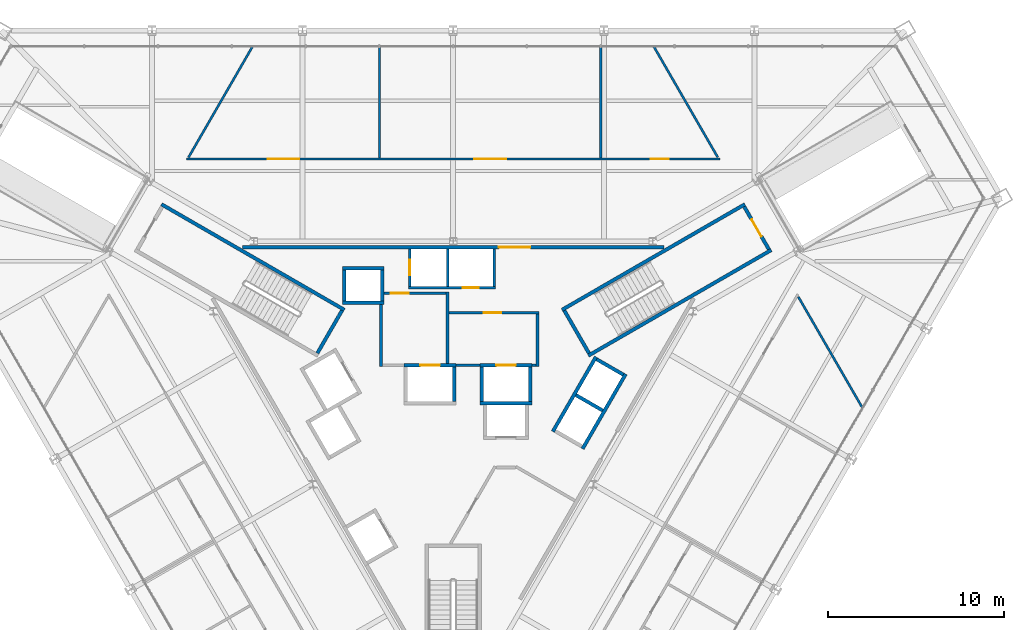
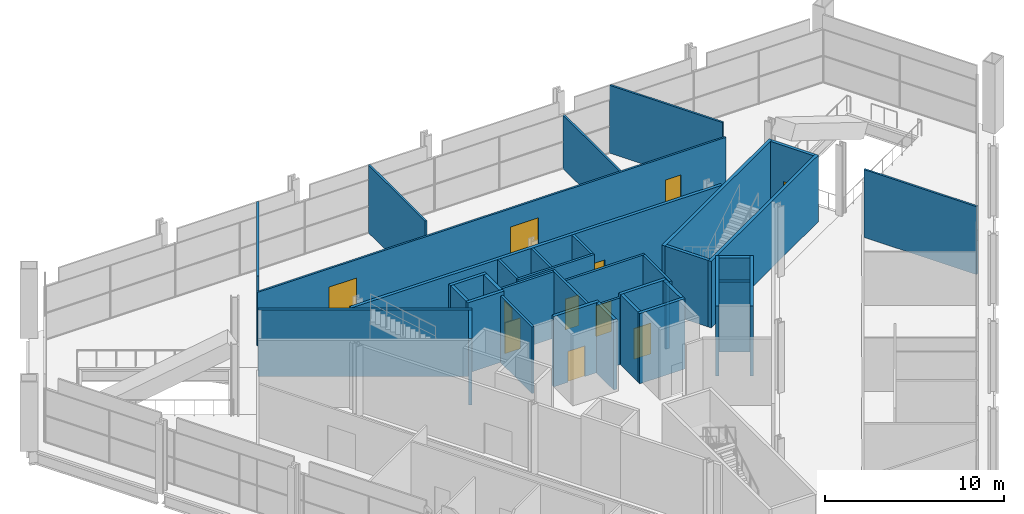
# One storey, part 14 of 18: 38 walls, 11 doors, 11 openings.
"""IFC4 building model written with IfcOpenShell, lengths in metres."""

from ifc_helpers import new_model, si_unit, direction, frame, frame_2d, origin, place, context, subcontext, project, spatial, rectangle, extrude, material, layer, layer_set, type_object, element, fill, save


model = new_model("IFC4")

# Units and contexts
model_context = context("Model", 3, precision=1e-05, world=origin(), true_north=direction((0.0, 1.0)))
body_context = subcontext(model_context, "Body", "Model", "MODEL_VIEW")
ifc_project = project(units=[si_unit("LENGTHUNIT", "METRE"), si_unit("AREAUNIT", "SQUARE_METRE"), si_unit("VOLUMEUNIT", "CUBIC_METRE"), si_unit("PLANEANGLEUNIT", "RADIAN"), si_unit("MASSUNIT", "GRAM", prefix="KILO")], contexts=[model_context])

# Site, building, storey
site_placement = place(None, origin())
site = spatial("IfcSite", under=ifc_project, at=site_placement, CompositionType="ELEMENT")
building_placement = place(site_placement, origin())
building = spatial("IfcBuilding", under=site, at=building_placement, Name="Verrane Prism Tower", CompositionType="ELEMENT")
storey_placement = place(building_placement, frame((0.0, 0.0, 27.199951171875)))
storey = spatial("IfcBuildingStorey", under=building, at=storey_placement, Name="L04", CompositionType="ELEMENT", Elevation=27.199951171875)

# Walls
ifc_material_1 = material(Name="Gypsum board partition", Category="other")
ifc_layer_1 = layer(ifc_material_1, 0.125)
ifc_layer_set_1 = layer_set([ifc_layer_1], Name="BW-125 demising wall 1 h")
wall_type_1 = type_object("IfcWallType", Name="BW-125 demising wall 1 h", PredefinedType="PARTITIONING", material=ifc_layer_set_1)
wall_1_placement = place(storey_placement, frame((-4.19091796875, 13.9326171875, 0.0), z_axis=(0.0, 0.0, 1.0), x_axis=(0.0, 1.0, 0.0)))
element("IfcWall", 1, at=wall_1_placement, inside=storey, type_object=wall_type_1, Name="Demising wall 011", PredefinedType="PARTITIONING", context=body_context, shape_type="SweptSolid", body=[
    extrude(rectangle(XDim=6.33740234375, YDim=0.125, at=frame_2d((3.168701171875, 0.0))), origin(), (0.0, 0.0, 1.0), 4.64013671875),
])
wall_2_placement = place(storey_placement, frame((8.383056640625, 13.9326171875, 0.0), z_axis=(0.0, 0.0, 1.0), x_axis=(0.0, 1.0, 0.0)))
element("IfcWall", 2, at=wall_2_placement, inside=storey, type_object=wall_type_1, Name="Demising wall 015", PredefinedType="PARTITIONING", context=body_context, shape_type="SweptSolid", body=[
    extrude(rectangle(XDim=6.33740234375, YDim=0.125, at=frame_2d((3.168701171875, 0.0))), origin(), (0.0, 0.0, 1.0), 3.653076171875),
])
ifc_material_2 = material(Name="Gypsum board partition", Category="other")
ifc_layer_2 = layer(ifc_material_2, 0.125)
ifc_layer_set_2 = layer_set([ifc_layer_2], Name="BW-125 shopfront wall 1 h")
wall_type_2 = type_object("IfcWallType", Name="BW-125 shopfront wall 1 h", PredefinedType="PARTITIONING", material=ifc_layer_set_2)
wall_3_placement = place(storey_placement, frame((-15.033447265625, 13.9609375, 0.0), z_axis=(0.0, 0.0, 1.0), x_axis=(0.499977739203, 0.86603825568, 0.0)))
element("IfcWall", 3, at=wall_3_placement, inside=storey, type_object=wall_type_2, Name="Shopfront wall 007", PredefinedType="PARTITIONING", context=body_context, shape_type="SweptSolid", body=[
    extrude(rectangle(XDim=7.284912109375, YDim=0.125, at=frame_2d((3.642578125, 0.0))), origin(), (0.0, 0.0, 1.0), 4.64013671875),
])

# Wall, openings, doors
wall_4_placement = place(storey_placement, frame((-15.1484375, 13.8701171875, 0.0), z_axis=(0.0, 0.0, 1.0), x_axis=(1.0, 0.0, 0.0)))
wall_4 = element("IfcWall", 4, at=wall_4_placement, inside=storey, type_object=wall_type_2, Name="Shopfront wall 008", PredefinedType="PARTITIONING", context=body_context, shape_type="SweptSolid", body=[
    extrude(rectangle(XDim=30.296875, YDim=0.125, at=frame_2d((15.1484375, 0.0))), origin(), (0.0, 0.0, 1.0), 3.653076171875),
])
opening_1_placement = place(wall_4_placement, frame((26.381591796875, 0.0, 0.0)))
opening_1 = element("IfcOpeningElement", 5, at=opening_1_placement, cuts=wall_4, Name="Opening D04001", PredefinedType="OPENING", context=body_context, shape_type="SweptSolid", body=[
    extrude(rectangle(XDim=1.0, YDim=2.10009765625, at=frame_2d((0.5, 1.050048828125))), frame((0.0, 0.072509765625, 0.0), z_axis=(0.0, -1.0, 0.0), x_axis=(1.0, 0.0, 0.0)), (0.0, 0.0, 1.0), 0.14501953125),
])
opening_2_placement = place(wall_4_placement, frame((16.357421875, 0.0, 0.0)))
opening_2 = element("IfcOpeningElement", 6, at=opening_2_placement, cuts=wall_4, Name="Opening D04002", PredefinedType="OPENING", context=body_context, shape_type="SweptSolid", body=[
    extrude(rectangle(XDim=1.800048828125, YDim=2.39990234375, at=frame_2d((0.89990234375, 1.199951171875))), frame((0.0, 0.072509765625, 0.0), z_axis=(0.0, -1.0, 0.0), x_axis=(1.0, 0.0, 0.0)), (0.0, 0.0, 1.0), 0.14501953125),
])
opening_3_placement = place(wall_4_placement, frame((4.612548828125, 0.0, 0.0)))
opening_3 = element("IfcOpeningElement", 7, at=opening_3_placement, cuts=wall_4, Name="Opening D04003", PredefinedType="OPENING", context=body_context, shape_type="SweptSolid", body=[
    extrude(rectangle(XDim=1.800048828125, YDim=2.39990234375, at=frame_2d((0.89990234375, 1.199951171875))), frame((0.0, 0.072509765625, 0.0), z_axis=(0.0, -1.0, 0.0), x_axis=(1.0, 0.0, 0.0)), (0.0, 0.0, 1.0), 0.14501953125),
])
ifc_material_3 = material(Name="Timber veneered door leaf", Category="wood")
door_type_1 = type_object("IfcDoorType", Name="DR-1000x2100 FD20 single leaf shopfront", OperationType="NOTDEFINED", PredefinedType="DOOR", material=ifc_material_3)
door_1_placement = place(opening_1_placement, origin())
door_1 = element("IfcDoor", 8, at=door_1_placement, inside=storey, type_object=door_type_1, Name="Door Cafe 0401", OperationType="SINGLE_SWING_LEFT", OverallHeight=2.10009765625, OverallWidth=1.0, PredefinedType="DOOR", context=body_context, shape_type="SweptSolid", body=[
    extrude(rectangle(XDim=1.0, YDim=2.10009765625, at=frame_2d((0.5, 1.050048828125))), frame((0.0, 0.02490234375, 0.0), z_axis=(0.0, -1.0, 0.0), x_axis=(1.0, 0.0, 0.0)), (0.0, 0.0, 1.0), 0.050048828125),
])
fill(opening_1, door_1)
ifc_material_4 = material(Name="Aluminium and glass door leaf", Category="aluminium")
door_type_2 = type_object("IfcDoorType", Name="DR-1800x2400 FD20 double leaf shopfront", OperationType="NOTDEFINED", PredefinedType="DOOR", material=ifc_material_4)
door_2_placement = place(opening_2_placement, origin())
door_2 = element("IfcDoor", 9, at=door_2_placement, inside=storey, type_object=door_type_2, Name="Door Restaurant 0402", OperationType="DOUBLE_DOOR_SINGLE_SWING", OverallHeight=2.39990234375, OverallWidth=1.800048828125, PredefinedType="DOOR", context=body_context, shape_type="SweptSolid", body=[
    extrude(rectangle(XDim=1.800048828125, YDim=2.39990234375, at=frame_2d((0.89990234375, 1.199951171875))), frame((0.0, 0.02490234375, 0.0), z_axis=(0.0, -1.0, 0.0), x_axis=(1.0, 0.0, 0.0)), (0.0, 0.0, 1.0), 0.050048828125),
])
fill(opening_2, door_2)
door_3_placement = place(opening_3_placement, origin())
door_3 = element("IfcDoor", 10, at=door_3_placement, inside=storey, type_object=door_type_2, Name="Door Restaurant 0403", OperationType="DOUBLE_DOOR_SINGLE_SWING", OverallHeight=2.39990234375, OverallWidth=1.800048828125, PredefinedType="DOOR", context=body_context, shape_type="SweptSolid", body=[
    extrude(rectangle(XDim=1.800048828125, YDim=2.39990234375, at=frame_2d((0.89990234375, 1.199951171875))), frame((0.0, 0.02490234375, 0.0), z_axis=(0.0, -1.0, 0.0), x_axis=(1.0, 0.0, 0.0)), (0.0, 0.0, 1.0), 0.050048828125),
])
fill(opening_3, door_3)

# Walls
wall_5_placement = place(storey_placement, frame((11.39111328125, 20.27001953125, 0.0), z_axis=(0.0, 0.0, 1.0), x_axis=(0.499977739203, -0.86603825568, 0.0)))
element("IfcWall", 11, at=wall_5_placement, inside=storey, type_object=wall_type_2, Name="Shopfront wall 018", PredefinedType="PARTITIONING", context=body_context, shape_type="SweptSolid", body=[
    extrude(rectangle(XDim=7.284912109375, YDim=0.125, at=frame_2d((3.642578125, 0.0))), origin(), (0.0, 0.0, 1.0), 4.64013671875),
])
wall_6_placement = place(storey_placement, frame((19.607421875, 6.0390625, 0.0), z_axis=(0.0, 0.0, 1.0), x_axis=(0.500002873931, -0.866023744513, 0.0)))
element("IfcWall", 12, at=wall_6_placement, inside=storey, type_object=wall_type_2, Name="Shopfront wall 022", PredefinedType="PARTITIONING", context=body_context, shape_type="SweptSolid", body=[
    extrude(rectangle(XDim=7.28515625, YDim=0.125, at=frame_2d((3.642578125, 0.0))), origin(), (0.0, 0.0, 1.0), 4.64013671875),
])

# Wall, opening, door
ifc_material_5 = material(Name="Gypsum board partition", Category="other")
ifc_layer_3 = layer(ifc_material_5, 0.199951171875)
ifc_layer_set_3 = layer_set([ifc_layer_3], Name="CW-200 core boundary wall 2 h")
wall_type_3 = type_object("IfcWallType", Name="CW-200 core boundary wall 2 h", PredefinedType="PARTITIONING", material=ifc_layer_set_3)
wall_7_placement = place(storey_placement, frame((11.986083984375, 8.860107421875, 0.0), z_axis=(0.0, 0.0, 1.0), x_axis=(-1.0, 0.0, 0.0)))
wall_7 = element("IfcWall", 13, at=wall_7_placement, inside=storey, type_object=wall_type_3, Name="Core boundary wall CW3-002", PredefinedType="PARTITIONING", context=body_context, shape_type="SweptSolid", body=[
    extrude(rectangle(XDim=23.967041015625, YDim=0.199951171875, at=frame_2d((11.9833984375, 0.0))), origin(), (0.0, 0.0, 1.0), 4.550048828125),
])
opening_4_placement = place(wall_7_placement, frame((7.595947265625, 0.0, 0.0)))
opening_4 = element("IfcOpeningElement", 14, at=opening_4_placement, cuts=wall_7, Name="Opening D04509", PredefinedType="OPENING", context=body_context, shape_type="SweptSolid", body=[
    extrude(rectangle(XDim=1.800048828125, YDim=2.10009765625, at=frame_2d((0.89990234375, 1.050048828125))), frame((0.0, 0.10986328125, 0.0), z_axis=(0.0, -1.0, 0.0), x_axis=(1.0, 0.0, 0.0)), (0.0, 0.0, 1.0), 0.219970703125),
])
ifc_material_6 = material(Name="Timber veneered door leaf", Category="wood")
door_type_3 = type_object("IfcDoorType", Name="DR-1800x2100 FD60 double leaf lift lobby", OperationType="NOTDEFINED", PredefinedType="DOOR", material=ifc_material_6)
door_4_placement = place(opening_4_placement, origin())
door_4 = element("IfcDoor", 15, at=door_4_placement, inside=storey, type_object=door_type_3, Name="Lift lobby door D04509", OperationType="DOUBLE_DOOR_SINGLE_SWING", OverallHeight=2.10009765625, OverallWidth=1.800048828125, PredefinedType="DOOR", context=body_context, shape_type="SweptSolid", body=[
    extrude(rectangle(XDim=1.800048828125, YDim=2.10009765625, at=frame_2d((0.89990234375, 1.050048828125))), frame((0.0, 0.02490234375, 0.0), z_axis=(0.0, -1.0, 0.0), x_axis=(1.0, 0.0, 0.0)), (0.0, 0.0, 1.0), 0.050048828125),
])
fill(opening_4, door_4)

ifc_material_7 = material(Name="Concrete C40/50", Category="concrete")
ifc_layer_4 = layer(ifc_material_7, 0.199951171875)
ifc_layer_set_4 = layer_set([ifc_layer_4], Name="CW-200 stair core wall concrete C40/50 3 h")
wall_type_4 = type_object("IfcWallType", Name="CW-200 stair core wall concrete C40/50 3 h", PredefinedType="PARTITIONING", material=ifc_layer_set_4)
wall_8_placement = place(storey_placement, frame((17.933837890625, 8.737548828125, 0.0), z_axis=(0.0, 0.0, 1.0), x_axis=(-0.49998411664, 0.866034573852, 0.0)))
wall_8 = element("IfcWall", 16, at=wall_8_placement, inside=storey, type_object=wall_type_4, Name="Stair 1 enclosure wall", PredefinedType="PARTITIONING", context=body_context, shape_type="SweptSolid", body=[
    extrude(rectangle(XDim=2.7998046875, YDim=0.199951171875, at=frame_2d((1.39990234375, 0.0))), origin(), (0.0, 0.0, 1.0), 4.550048828125),
])
opening_5_placement = place(wall_8_placement, frame((0.849853515625, 0.0, 0.0)))
opening_5 = element("IfcOpeningElement", 17, at=opening_5_placement, cuts=wall_8, Name="Opening D04500", PredefinedType="OPENING", context=body_context, shape_type="SweptSolid", body=[
    extrude(rectangle(XDim=1.10009765625, YDim=2.10009765625, at=frame_2d((0.550048828125, 1.050048828125))), frame((0.0, 0.10986328125, 0.0), z_axis=(0.0, -1.0, 0.0), x_axis=(1.0, 0.0, 0.0)), (0.0, 0.0, 1.0), 0.219970703125),
])
ifc_material_8 = material(Name="Timber veneered door leaf", Category="wood")
door_type_4 = type_object("IfcDoorType", Name="DR-1100x2100 FD90 single leaf stair", OperationType="NOTDEFINED", PredefinedType="DOOR", material=ifc_material_8)
door_5_placement = place(opening_5_placement, origin())
door_5 = element("IfcDoor", 18, at=door_5_placement, inside=storey, type_object=door_type_4, Name="Stair 1 door", OperationType="SINGLE_SWING_LEFT", OverallHeight=2.10009765625, OverallWidth=1.10009765625, PredefinedType="DOOR", context=body_context, shape_type="SweptSolid", body=[
    extrude(rectangle(XDim=1.10009765625, YDim=2.10009765625, at=frame_2d((0.550048828125, 1.050048828125))), frame((0.0, 0.02490234375, 0.0), z_axis=(0.0, -1.0, 0.0), x_axis=(1.0, 0.0, 0.0)), (0.0, 0.0, 1.0), 0.050048828125),
])
fill(opening_5, door_5)

# Walls
for number, where, z_axis, x_axis, name in (
    (19, (6.17822265625, 5.299072265625, 0.0), (0.0, 0.0, 1.0), (0.866026010844, 0.49999894854, 0.0), "Stair 1 enclosure wall"),
    (20, (7.67822265625, 2.700927734375, 0.0), (0.0, 0.0, 1.0), (0.866026010844, 0.49999894854, 0.0), "Stair 1 enclosure wall"),
):
    element("IfcWall", number, at=place(storey_placement, frame(where, z_axis=z_axis, x_axis=x_axis)), inside=storey, type_object=wall_type_4, Name=name, PredefinedType="PARTITIONING", context=body_context, shape_type="SweptSolid", body=[
        extrude(rectangle(XDim=12.0, YDim=0.199951171875, at=frame_2d((6.0, 0.0))), origin(), (0.0, 0.0, 1.0), 4.550048828125),
    ])
wall_9_placement = place(storey_placement, frame((7.71484375, 2.837646484375, 0.0), z_axis=(0.0, 0.0, 1.0), x_axis=(-0.500049511043, 0.865996816683, 0.0)))
element("IfcWall", 21, at=wall_9_placement, inside=storey, type_object=wall_type_4, Name="Stair 1 enclosure wall", PredefinedType="PARTITIONING", context=body_context, shape_type="SweptSolid", body=[
    extrude(rectangle(XDim=2.800048828125, YDim=0.199951171875, at=frame_2d((1.39990234375, 0.0))), origin(), (0.0, 0.0, 1.0), 4.550048828125),
])
wall_10_placement = place(storey_placement, frame((-6.17822265625, 5.299072265625, 0.0), z_axis=(0.0, 0.0, 1.0), x_axis=(-0.866026010844, 0.49999894854, 0.0)))
element("IfcWall", 22, at=wall_10_placement, inside=storey, type_object=wall_type_4, Name="Stair 2 enclosure wall", PredefinedType="PARTITIONING", context=body_context, shape_type="SweptSolid", body=[
    extrude(rectangle(XDim=12.0, YDim=0.199951171875, at=frame_2d((6.0, 0.0))), origin(), (0.0, 0.0, 1.0), 4.550048828125),
])
wall_11_placement = place(storey_placement, frame((-6.314697265625, 5.262451171875, 0.0), z_axis=(0.0, 0.0, 1.0), x_axis=(-0.500049511043, -0.865996816683, 0.0)))
element("IfcWall", 23, at=wall_11_placement, inside=storey, type_object=wall_type_4, Name="Stair 2 enclosure wall", PredefinedType="PARTITIONING", context=body_context, shape_type="SweptSolid", body=[
    extrude(rectangle(XDim=2.800048828125, YDim=0.199951171875, at=frame_2d((1.39990234375, 0.0))), origin(), (0.0, 0.0, 1.0), 4.550048828125),
])
ifc_material_9 = material(Name="Gypsum board shaft wall assembly", Category="other")
ifc_layer_5 = layer(ifc_material_9, 0.199951171875)
ifc_layer_set_5 = layer_set([ifc_layer_5], Name="HW-200 lift shaft wall 2 h")
wall_type_5 = type_object("IfcWallType", Name="HW-200 lift shaft wall 2 h", PredefinedType="PARTITIONING", material=ifc_layer_set_5)
wall_12_placement = place(storey_placement, frame((1.52490234375, 0.0, 0.0), z_axis=(0.0, 0.0, 1.0), x_axis=(1.0, 0.0, 0.0)))
element("IfcWall", 24, at=wall_12_placement, inside=storey, type_object=wall_type_5, Name="Lift shaft wall", PredefinedType="PARTITIONING", context=body_context, shape_type="SweptSolid", body=[
    extrude(rectangle(XDim=2.9501953125, YDim=0.199951171875, at=frame_2d((1.47509765625, 0.0))), origin(), (0.0, 0.0, 1.0), 4.800048828125),
])

# Wall, opening, door
wall_13_placement = place(storey_placement, frame((-2.784912109375, 2.14990234375, 0.0), z_axis=(0.0, 0.0, 1.0), x_axis=(1.0, 0.0, 0.0)))
wall_13 = element("IfcWall", 25, at=wall_13_placement, inside=storey, type_object=wall_type_5, Name="Lift shaft wall", PredefinedType="PARTITIONING", context=body_context, shape_type="SweptSolid", body=[
    extrude(rectangle(XDim=2.949951171875, YDim=0.199951171875, at=frame_2d((1.47509765625, 0.0))), origin(), (0.0, 0.0, 1.0), 4.800048828125),
])
opening_6_placement = place(wall_13_placement, frame((0.925048828125, 0.0, 0.0)))
opening_6 = element("IfcOpeningElement", 26, at=opening_6_placement, cuts=wall_13, Name="Opening D04503", PredefinedType="OPENING", context=body_context, shape_type="SweptSolid", body=[
    extrude(rectangle(XDim=1.10009765625, YDim=2.10009765625, at=frame_2d((0.550048828125, 1.050048828125))), frame((0.0, 0.10986328125, 0.0), z_axis=(0.0, -1.0, 0.0), x_axis=(1.0, 0.0, 0.0)), (0.0, 0.0, 1.0), 0.219970703125),
])
ifc_material_10 = material(Name="Stainless steel sliding landing door", Category="steel")
door_type_5 = type_object("IfcDoorType", Name="LD-1100x2100 lift landing door FD90 sliding", OperationType="NOTDEFINED", PredefinedType="DOOR", material=ifc_material_10)
door_6_placement = place(opening_6_placement, origin())
door_6 = element("IfcDoor", 27, at=door_6_placement, inside=storey, type_object=door_type_5, Name="Fire service lift 1 landing door", OperationType="SLIDING_TO_LEFT", OverallHeight=2.10009765625, OverallWidth=1.10009765625, PredefinedType="DOOR", context=body_context, shape_type="SweptSolid", body=[
    extrude(rectangle(XDim=1.10009765625, YDim=2.10009765625, at=frame_2d((0.550048828125, 1.050048828125))), frame((0.0, 0.02490234375, 0.0), z_axis=(0.0, -1.0, 0.0), x_axis=(1.0, 0.0, 0.0)), (0.0, 0.0, 1.0), 0.050048828125),
])
fill(opening_6, door_6)

wall_14_placement = place(storey_placement, frame((1.52490234375, 2.14990234375, 0.0), z_axis=(0.0, 0.0, 1.0), x_axis=(1.0, 0.0, 0.0)))
wall_14 = element("IfcWall", 28, at=wall_14_placement, inside=storey, type_object=wall_type_5, Name="Lift shaft wall", PredefinedType="PARTITIONING", context=body_context, shape_type="SweptSolid", body=[
    extrude(rectangle(XDim=2.9501953125, YDim=0.199951171875, at=frame_2d((1.47509765625, 0.0))), origin(), (0.0, 0.0, 1.0), 4.800048828125),
])
opening_7_placement = place(wall_14_placement, frame((0.925048828125, 0.0, 0.0)))
opening_7 = element("IfcOpeningElement", 29, at=opening_7_placement, cuts=wall_14, Name="Opening D04504", PredefinedType="OPENING", context=body_context, shape_type="SweptSolid", body=[
    extrude(rectangle(XDim=1.10009765625, YDim=2.10009765625, at=frame_2d((0.550048828125, 1.050048828125))), frame((0.0, 0.10986328125, 0.0), z_axis=(0.0, -1.0, 0.0), x_axis=(1.0, 0.0, 0.0)), (0.0, 0.0, 1.0), 0.219970703125),
])
door_7_placement = place(opening_7_placement, origin())
door_7 = element("IfcDoor", 30, at=door_7_placement, inside=storey, type_object=door_type_5, Name="Fire service lift 2 landing door", OperationType="SLIDING_TO_RIGHT", OverallHeight=2.10009765625, OverallWidth=1.10009765625, PredefinedType="DOOR", context=body_context, shape_type="SweptSolid", body=[
    extrude(rectangle(XDim=1.10009765625, YDim=2.10009765625, at=frame_2d((0.550048828125, 1.050048828125))), frame((0.0, 0.02490234375, 0.0), z_axis=(0.0, -1.0, 0.0), x_axis=(1.0, 0.0, 0.0)), (0.0, 0.0, 1.0), 0.050048828125),
])
fill(opening_7, door_7)

# Walls
for number, where, z_axis, x_axis, name in (
    (31, (-6.284912109375, 5.7099609375, 0.0), (0.0, 0.0, 1.0), (1.0, 0.0, 0.0), "Lift shaft wall"),
    (32, (-6.284912109375, 7.659912109375, 0.0), (0.0, 0.0, 1.0), (1.0, 0.0, 0.0), "Lift shaft wall"),
):
    element("IfcWall", number, at=place(storey_placement, frame(where, z_axis=z_axis, x_axis=x_axis)), inside=storey, type_object=wall_type_5, Name=name, PredefinedType="PARTITIONING", context=body_context, shape_type="SweptSolid", body=[
        extrude(rectangle(XDim=2.349853515625, YDim=0.199951171875, at=frame_2d((1.1748046875, 0.0))), origin(), (0.0, 0.0, 1.0), 4.800048828125),
    ])
wall_15_placement = place(storey_placement, frame((7.351318359375, -2.587158203125, 0.0), z_axis=(0.0, 0.0, 1.0), x_axis=(0.500002801628, 0.866023786258, 0.0)))
element("IfcWall", 33, at=wall_15_placement, inside=storey, type_object=wall_type_5, Name="Lift shaft wall", PredefinedType="PARTITIONING", context=body_context, shape_type="SweptSolid", body=[
    extrude(rectangle(XDim=4.89990234375, YDim=0.199951171875, at=frame_2d((2.449951171875, 0.0))), origin(), (0.0, 0.0, 1.0), 4.800048828125),
])
wall_16_placement = place(storey_placement, frame((5.66259765625, -1.6123046875, 0.0), z_axis=(0.0, 0.0, 1.0), x_axis=(0.49998122708, 0.866036242063, 0.0)))
element("IfcWall", 34, at=wall_16_placement, inside=storey, type_object=wall_type_5, Name="Lift shaft wall", PredefinedType="PARTITIONING", context=body_context, shape_type="SweptSolid", body=[
    extrude(rectangle(XDim=4.900146484375, YDim=0.199951171875, at=frame_2d((2.4501953125, 0.0))), origin(), (0.0, 0.0, 1.0), 4.800048828125),
])
for number, where, z_axis, x_axis, name in (
    (35, (4.375, 0.10009765625, 0.0), (0.0, 0.0, 1.0), (0.0, 1.0, 0.0), "Lift shaft wall"),
    (36, (1.625, 0.10009765625, 0.0), (0.0, 0.0, 1.0), (0.0, 1.0, 0.0), "Lift shaft wall"),
    (37, (0.06494140625, 0.10009765625, 0.0), (0.0, 0.0, 1.0), (0.0, 1.0, 0.0), "Lift shaft wall"),
):
    element("IfcWall", number, at=place(storey_placement, frame(where, z_axis=z_axis, x_axis=x_axis)), inside=storey, type_object=wall_type_5, Name=name, PredefinedType="PARTITIONING", context=body_context, shape_type="SweptSolid", body=[
        extrude(rectangle(XDim=1.949951171875, YDim=0.199951171875, at=frame_2d((0.97509765625, 0.0))), origin(), (0.0, 0.0, 1.0), 4.800048828125),
    ])
for number, where, z_axis, x_axis, name in (
    (38, (-4.034912109375, 5.81005859375, 0.0), (0.0, 0.0, 1.0), (0.0, 1.0, 0.0), "Lift shaft wall"),
    (39, (-6.18505859375, 5.81005859375, 0.0), (0.0, 0.0, 1.0), (0.0, 1.0, 0.0), "Lift shaft wall"),
):
    element("IfcWall", number, at=place(storey_placement, frame(where, z_axis=z_axis, x_axis=x_axis)), inside=storey, type_object=wall_type_5, Name=name, PredefinedType="PARTITIONING", context=body_context, shape_type="SweptSolid", body=[
        extrude(rectangle(XDim=1.75, YDim=0.199951171875, at=frame_2d((0.875, 0.0))), origin(), (0.0, 0.0, 1.0), 4.800048828125),
    ])
wall_17_placement = place(storey_placement, frame((9.66455078125, 1.61962890625, 0.0), z_axis=(0.0, 0.0, 1.0), x_axis=(-0.866002029911, 0.500040482552, 0.0)))
element("IfcWall", 40, at=wall_17_placement, inside=storey, type_object=wall_type_5, Name="Lift shaft wall", PredefinedType="PARTITIONING", context=body_context, shape_type="SweptSolid", body=[
    extrude(rectangle(XDim=1.749755859375, YDim=0.199951171875, at=frame_2d((0.875, 0.0))), origin(), (0.0, 0.0, 1.0), 4.800048828125),
])
wall_18_placement = place(storey_placement, frame((8.48974609375, -0.41552734375, 0.0), z_axis=(0.0, 0.0, 1.0), x_axis=(-0.866036909293, 0.499980071345, 0.0)))
element("IfcWall", 41, at=wall_18_placement, inside=storey, type_object=wall_type_5, Name="Lift shaft wall", PredefinedType="PARTITIONING", context=body_context, shape_type="SweptSolid", body=[
    extrude(rectangle(XDim=1.75, YDim=0.199951171875, at=frame_2d((0.875, 0.0))), origin(), (0.0, 0.0, 1.0), 4.800048828125),
])
ifc_material_11 = material(Name="Gypsum board partition", Category="other")
ifc_layer_6 = layer(ifc_material_11, 0.14990234375)
ifc_layer_set_6 = layer_set([ifc_layer_6], Name="LF-150 firefighting lobby wall 1 h")
wall_type_6 = type_object("IfcWallType", Name="LF-150 firefighting lobby wall 1 h", PredefinedType="PARTITIONING", material=ifc_layer_set_6)
wall_19_placement = place(storey_placement, frame((-4.10009765625, 2.0849609375, 0.0), z_axis=(0.0, 0.0, 1.0), x_axis=(0.0, 1.0, 0.0)))
element("IfcWall", 42, at=wall_19_placement, inside=storey, type_object=wall_type_6, Name="Firefighting lobby wall LF1-001", PredefinedType="PARTITIONING", context=body_context, shape_type="SweptSolid", body=[
    extrude(rectangle(XDim=3.52294921875, YDim=0.14990234375, at=frame_2d((1.761474609375, 0.0))), origin(), (0.0, 0.0, 1.0), 4.550048828125),
])

# Wall, opening, door
wall_20_placement = place(storey_placement, frame((-3.93310546875, 6.239990234375, 0.0), z_axis=(0.0, 0.0, 1.0), x_axis=(1.0, 0.0, 0.0)))
wall_20 = element("IfcWall", 43, at=wall_20_placement, inside=storey, type_object=wall_type_6, Name="Firefighting lobby wall LF1-003", PredefinedType="PARTITIONING", context=body_context, shape_type="SweptSolid", body=[
    extrude(rectangle(XDim=3.5380859375, YDim=0.14990234375, at=frame_2d((1.76904296875, 0.0))), origin(), (0.0, 0.0, 1.0), 4.550048828125),
])
opening_8_placement = place(wall_20_placement, frame((0.39990234375, 0.0, 0.0)))
opening_8 = element("IfcOpeningElement", 44, at=opening_8_placement, cuts=wall_20, Name="Opening D04510", PredefinedType="OPENING", context=body_context, shape_type="SweptSolid", body=[
    extrude(rectangle(XDim=1.0, YDim=2.10009765625, at=frame_2d((0.5, 1.050048828125))), frame((0.0, 0.0849609375, 0.0), z_axis=(0.0, -1.0, 0.0), x_axis=(1.0, 0.0, 0.0)), (0.0, 0.0, 1.0), 0.169921875),
])
ifc_material_12 = material(Name="Timber veneered door leaf", Category="wood")
door_type_6 = type_object("IfcDoorType", Name="DR-1000x2100 FD60 single leaf firefighting lobby", OperationType="NOTDEFINED", PredefinedType="DOOR", material=ifc_material_12)
door_8_placement = place(opening_8_placement, origin())
door_8 = element("IfcDoor", 45, at=door_8_placement, inside=storey, type_object=door_type_6, Name="Firefighting lobby door D04510", OperationType="SINGLE_SWING_LEFT", OverallHeight=2.10009765625, OverallWidth=1.0, PredefinedType="DOOR", context=body_context, shape_type="SweptSolid", body=[
    extrude(rectangle(XDim=1.0, YDim=2.10009765625, at=frame_2d((0.5, 1.050048828125))), frame((0.0, 0.02490234375, 0.0), z_axis=(0.0, -1.0, 0.0), x_axis=(1.0, 0.0, 0.0)), (0.0, 0.0, 1.0), 0.050048828125),
])
fill(opening_8, door_8)

# Wall
wall_21_placement = place(storey_placement, frame((-0.320068359375, 2.251953125, 0.0), z_axis=(0.0, 0.0, 1.0), x_axis=(0.0, 1.0, 0.0)))
element("IfcWall", 46, at=wall_21_placement, inside=storey, type_object=wall_type_6, Name="Firefighting lobby wall LF1-004", PredefinedType="PARTITIONING", context=body_context, shape_type="SweptSolid", body=[
    extrude(rectangle(XDim=4.06298828125, YDim=0.14990234375, at=frame_2d((2.031494140625, 0.0))), origin(), (0.0, 0.0, 1.0), 4.550048828125),
])

# Wall, opening, door
wall_22_placement = place(storey_placement, frame((-0.2451171875, 5.139892578125, 0.0), z_axis=(0.0, 0.0, 1.0), x_axis=(1.0, 0.0, 0.0)))
wall_22 = element("IfcWall", 47, at=wall_22_placement, inside=storey, type_object=wall_type_6, Name="Firefighting lobby wall LF1-005", PredefinedType="PARTITIONING", context=body_context, shape_type="SweptSolid", body=[
    extrude(rectangle(XDim=5.110107421875, YDim=0.14990234375, at=frame_2d((2.55517578125, 0.0))), origin(), (0.0, 0.0, 1.0), 4.550048828125),
])
opening_9_placement = place(wall_22_placement, frame((1.97509765625, 0.0, 0.0)))
opening_9 = element("IfcOpeningElement", 48, at=opening_9_placement, cuts=wall_22, Name="Opening D04513", PredefinedType="OPENING", context=body_context, shape_type="SweptSolid", body=[
    extrude(rectangle(XDim=1.0, YDim=2.10009765625, at=frame_2d((0.5, 1.050048828125))), frame((0.0, 0.0849609375, 0.0), z_axis=(0.0, -1.0, 0.0), x_axis=(1.0, 0.0, 0.0)), (0.0, 0.0, 1.0), 0.169921875),
])
door_9_placement = place(opening_9_placement, origin())
door_9 = element("IfcDoor", 49, at=door_9_placement, inside=storey, type_object=door_type_6, Name="Firefighting lobby door D04513", OperationType="SINGLE_SWING_RIGHT", OverallHeight=2.10009765625, OverallWidth=1.0, PredefinedType="DOOR", context=body_context, shape_type="SweptSolid", body=[
    extrude(rectangle(XDim=1.0, YDim=2.10009765625, at=frame_2d((0.5, 1.050048828125))), frame((0.0, 0.02490234375, 0.0), z_axis=(0.0, -1.0, 0.0), x_axis=(1.0, 0.0, 0.0)), (0.0, 0.0, 1.0), 0.050048828125),
])
fill(opening_9, door_9)

# Walls
wall_23_placement = place(storey_placement, frame((0.1669921875, 2.159912109375, 0.0), z_axis=(0.0, 0.0, 1.0), x_axis=(1.0, 0.0, 0.0)))
element("IfcWall", 50, at=wall_23_placement, inside=storey, type_object=wall_type_6, Name="Firefighting lobby wall LF1-006", PredefinedType="PARTITIONING", context=body_context, shape_type="SweptSolid", body=[
    extrude(rectangle(XDim=1.35595703125, YDim=0.14990234375, at=frame_2d((0.677978515625, 0.0))), origin(), (0.0, 0.0, 1.0), 4.550048828125),
])
wall_24_placement = place(storey_placement, frame((4.47705078125, 2.159912109375, 0.0), z_axis=(0.0, 0.0, 1.0), x_axis=(1.0, 0.0, 0.0)))
element("IfcWall", 51, at=wall_24_placement, inside=storey, type_object=wall_type_6, Name="Firefighting lobby wall LF1-007", PredefinedType="PARTITIONING", context=body_context, shape_type="SweptSolid", body=[
    extrude(rectangle(XDim=0.238037109375, YDim=0.14990234375, at=frame_2d((0.119140625, 0.0))), origin(), (0.0, 0.0, 1.0), 4.550048828125),
])
wall_25_placement = place(storey_placement, frame((4.7900390625, 2.0849609375, 0.0), z_axis=(0.0, 0.0, 1.0), x_axis=(0.0, 1.0, 0.0)))
element("IfcWall", 52, at=wall_25_placement, inside=storey, type_object=wall_type_6, Name="Firefighting lobby wall LF1-008", PredefinedType="PARTITIONING", context=body_context, shape_type="SweptSolid", body=[
    extrude(rectangle(XDim=2.97998046875, YDim=0.14990234375, at=frame_2d((1.489990234375, 0.0))), origin(), (0.0, 0.0, 1.0), 4.550048828125),
])

# Wall, opening, door
ifc_material_13 = material(Name="Gypsum board partition", Category="other")
ifc_layer_7 = layer(ifc_material_13, 0.14990234375)
ifc_layer_set_7 = layer_set([ifc_layer_7], Name="RS-150 riser enclosure wall 1 h")
wall_type_7 = type_object("IfcWallType", Name="RS-150 riser enclosure wall 1 h", PredefinedType="PARTITIONING", material=ifc_layer_set_7)
wall_26_placement = place(storey_placement, frame((-2.4599609375, 8.760009765625, 0.0), z_axis=(0.0, 0.0, 1.0), x_axis=(0.0, -1.0, 0.0)))
wall_26 = element("IfcWall", 53, at=wall_26_placement, inside=storey, type_object=wall_type_7, Name="Riser wall RS3-001", PredefinedType="PARTITIONING", context=body_context, shape_type="SweptSolid", body=[
    extrude(rectangle(XDim=2.125, YDim=0.14990234375, at=frame_2d((1.0625, 0.0))), origin(), (0.0, 0.0, 1.0), 4.550048828125),
])
opening_10_placement = place(wall_26_placement, frame((0.60009765625, 0.0, 0.0)))
opening_10 = element("IfcOpeningElement", 54, at=opening_10_placement, cuts=wall_26, Name="Opening D04511", PredefinedType="OPENING", context=body_context, shape_type="SweptSolid", body=[
    extrude(rectangle(XDim=0.89990234375, YDim=2.10009765625, at=frame_2d((0.449951171875, 1.050048828125))), frame((0.0, 0.0849609375, 0.0), z_axis=(0.0, -1.0, 0.0), x_axis=(1.0, 0.0, 0.0)), (0.0, 0.0, 1.0), 0.169921875),
])
ifc_material_14 = material(Name="Timber veneered door leaf", Category="wood")
door_type_7 = type_object("IfcDoorType", Name="DR-900x2100 FD60 single leaf riser", OperationType="NOTDEFINED", PredefinedType="DOOR", material=ifc_material_14)
door_10_placement = place(opening_10_placement, origin())
door_10 = element("IfcDoor", 55, at=door_10_placement, inside=storey, type_object=door_type_7, Name="Riser door D04511", OperationType="SINGLE_SWING_RIGHT", OverallHeight=2.10009765625, OverallWidth=0.89990234375, PredefinedType="DOOR", context=body_context, shape_type="SweptSolid", body=[
    extrude(rectangle(XDim=0.89990234375, YDim=2.10009765625, at=frame_2d((0.449951171875, 1.050048828125))), frame((0.0, 0.02490234375, 0.0), z_axis=(0.0, -1.0, 0.0), x_axis=(1.0, 0.0, 0.0)), (0.0, 0.0, 1.0), 0.050048828125),
])
fill(opening_10, door_10)

wall_27_placement = place(storey_placement, frame((-2.534912109375, 6.56005859375, 0.0), z_axis=(0.0, 0.0, 1.0), x_axis=(1.0, 0.0, 0.0)))
wall_27 = element("IfcWall", 56, at=wall_27_placement, inside=storey, type_object=wall_type_7, Name="Riser wall RS3-002", PredefinedType="PARTITIONING", context=body_context, shape_type="SweptSolid", body=[
    extrude(rectangle(XDim=4.949951171875, YDim=0.14990234375, at=frame_2d((2.47509765625, 0.0))), origin(), (0.0, 0.0, 1.0), 4.550048828125),
])
opening_11_placement = place(wall_27_placement, frame((3.0849609375, 0.0, 0.0)))
opening_11 = element("IfcOpeningElement", 57, at=opening_11_placement, cuts=wall_27, Name="Opening D04512", PredefinedType="OPENING", context=body_context, shape_type="SweptSolid", body=[
    extrude(rectangle(XDim=0.89990234375, YDim=2.10009765625, at=frame_2d((0.449951171875, 1.050048828125))), frame((0.0, 0.0849609375, 0.0), z_axis=(0.0, -1.0, 0.0), x_axis=(1.0, 0.0, 0.0)), (0.0, 0.0, 1.0), 0.169921875),
])
door_11_placement = place(opening_11_placement, origin())
door_11 = element("IfcDoor", 58, at=door_11_placement, inside=storey, type_object=door_type_7, Name="Riser door D04512", OperationType="SINGLE_SWING_RIGHT", OverallHeight=2.10009765625, OverallWidth=0.89990234375, PredefinedType="DOOR", context=body_context, shape_type="SweptSolid", body=[
    extrude(rectangle(XDim=0.89990234375, YDim=2.10009765625, at=frame_2d((0.449951171875, 1.050048828125))), frame((0.0, 0.02490234375, 0.0), z_axis=(0.0, -1.0, 0.0), x_axis=(1.0, 0.0, 0.0)), (0.0, 0.0, 1.0), 0.050048828125),
])
fill(opening_11, door_11)

# Walls
for number, where, z_axis, x_axis, name in (
    (59, (-0.300048828125, 6.635009765625, 0.0), (0.0, 0.0, 1.0), (0.0, 1.0, 0.0), "Riser wall RS3-003"),
    (60, (2.340087890625, 6.635009765625, 0.0), (0.0, 0.0, 1.0), (0.0, 1.0, 0.0), "Riser wall RS3-005"),
):
    element("IfcWall", number, at=place(storey_placement, frame(where, z_axis=z_axis, x_axis=x_axis)), inside=storey, type_object=wall_type_7, Name=name, PredefinedType="PARTITIONING", context=body_context, shape_type="SweptSolid", body=[
        extrude(rectangle(XDim=2.125, YDim=0.14990234375, at=frame_2d((1.0625, 0.0))), origin(), (0.0, 0.0, 1.0), 4.550048828125),
    ])

save(model, "model.ifc")
